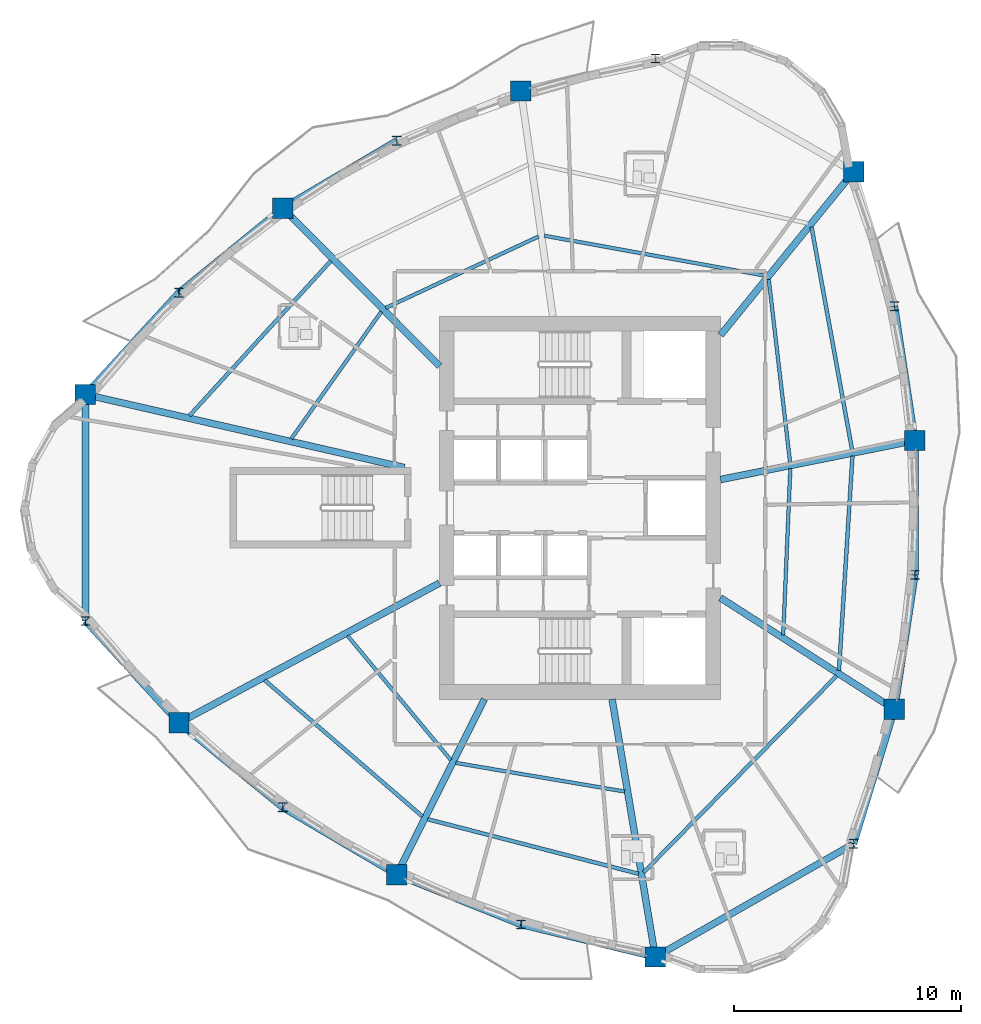
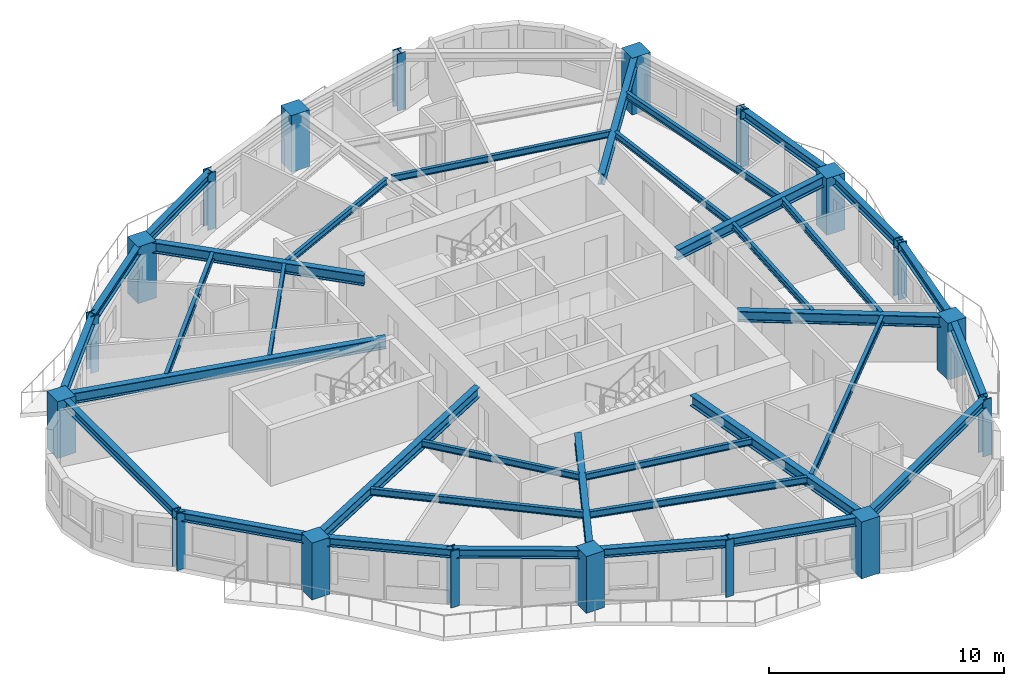
# One storey, part 1 of 12: 35 beams, 18 columns.
"""IFC4 building model written with IfcOpenShell, lengths in metres."""

from ifc_helpers import new_model, si_unit, direction, frame, origin, origin_2d, place, context, subcontext, project, spatial, rectangle, i_section, extrude, source, transform, mapped, material, material_profile, profile_set, type_object, element, save


model = new_model("IFC4")

# Units and contexts
model_context = context("Model", 3, precision=1e-05, world=origin(), true_north=direction((0.0, 1.0)))
body_context = subcontext(model_context, "Body", "Model", "MODEL_VIEW")
ifc_project = project(units=[si_unit("LENGTHUNIT", "METRE"), si_unit("AREAUNIT", "SQUARE_METRE"), si_unit("VOLUMEUNIT", "CUBIC_METRE"), si_unit("PLANEANGLEUNIT", "RADIAN"), si_unit("MASSUNIT", "GRAM", prefix="KILO")], contexts=[model_context])

# Site, building, storey
site_placement = place(None, origin())
site = spatial("IfcSite", under=ifc_project, at=site_placement, CompositionType="ELEMENT")
building_placement = place(site_placement, origin())
building = spatial("IfcBuilding", under=site, at=building_placement, Name="Qafzar Sky-Pleat Residences", CompositionType="ELEMENT")
storey_placement = place(building_placement, frame((0.0, 0.0, 121.60009765625)))
storey = spatial("IfcBuildingStorey", under=building, at=storey_placement, Name="L36", CompositionType="ELEMENT", Elevation=121.60009765625)

# Columns
ifc_material_1 = material(Name="Concrete C60/75", Category="concrete")
ifc_material_profile_1 = material_profile(ifc_material_1, rectangle(XDim=0.89990234375, YDim=0.89990234375, at=origin_2d()), Name="RC 900x900")
ifc_profile_set_1 = profile_set([ifc_material_profile_1], Name="Concrete C60/75")
column_type_1 = type_object("IfcColumnType", Name="COL-RC-900", PredefinedType="COLUMN", material=ifc_profile_set_1)
shared_shape_1 = source(origin(), body_context, "Body", "SweptSolid", [
    extrude(rectangle(XDim=0.89990234375, YDim=0.89990234375, at=origin_2d()), origin(), (0.0, 0.0, 1.0), 2.949951171875),
])
for number, where, z_axis, x_axis, name in (
    (1, (8.52880859375, 30.99609375, 0.0), (0.0, 0.0, 1.0), (1.0, 0.0, 0.0), "L36 Perimeter Mega Column 1"),
    (2, (12.65673828125, 16.50927734375, 0.0), (0.0, 0.0, 1.0), (1.0, 0.0, 0.0), "L36 Perimeter Mega Column 3"),
    (3, (22.26513671875, 9.813720703125, 0.0), (0.0, 0.0, 1.0), (1.0, 0.0, 0.0), "L36 Perimeter Mega Column 5"),
    (4, (33.6767578125, 6.17626953125, 0.0), (0.0, 0.0, 1.0), (1.0, 0.0, 0.0), "L36 Perimeter Mega Column 7"),
    (5, (44.2255859375, 17.103515625, 0.0), (0.0, 0.0, 1.0), (1.0, 0.0, 0.0), "L36 Perimeter Mega Column 9"),
    (6, (45.127197265625, 28.965576171875, 0.0), (0.0, 0.0, 1.0), (1.0, 0.0, 0.0), "L36 Perimeter Mega Column 11"),
    (7, (42.422607421875, 40.82763671875, 0.0), (0.0, 0.0, 1.0), (1.0, 0.0, 0.0), "L36 Perimeter Mega Column 13"),
    (8, (27.74560546875, 44.38720703125, 0.0), (0.0, 0.0, 1.0), (1.0, 0.0, 0.0), "L36 Perimeter Mega Column 15"),
    (9, (17.235595703125, 39.220703125, 0.0), (0.0, 0.0, 1.0), (1.0, 0.0, 0.0), "L36 Perimeter Mega Column 17"),
):
    element("IfcColumn", number, at=place(storey_placement, frame(where, z_axis=z_axis, x_axis=x_axis)), inside=storey, type_object=column_type_1, Name=name, PredefinedType="COLUMN", context=body_context, shape_type="MappedRepresentation", body=[
        mapped(shared_shape_1, transform((0.0, 0.0, 0.0), x_axis=(1.0, 0.0, 0.0), y_axis=(0.0, 1.0, 0.0), z_axis=(0.0, 0.0, 1.0), scale=1.0)),
    ])
ifc_material_2 = material(Name="Steel S460", Category="steel")
ifc_material_profile_2 = material_profile(ifc_material_2, i_section(OverallWidth=0.406005859375, OverallDepth=0.416015625, WebThickness=0.027099609375, FlangeThickness=0.0439453125, FilletRadius=0.014892578125, at=origin_2d()), Name="HD 400x382")
ifc_profile_set_2 = profile_set([ifc_material_profile_2], Name="Steel S460")
column_type_2 = type_object("IfcColumnType", Name="COL-STL-HD382", PredefinedType="PILASTER", material=ifc_profile_set_2)
shared_shape_2 = source(origin(), body_context, "Body", "SweptSolid", [
    extrude(i_section(OverallWidth=0.406005859375, OverallDepth=0.416015625, WebThickness=0.027099609375, FlangeThickness=0.0439453125, FilletRadius=0.014892578125, at=origin_2d()), origin(), (0.0, 0.0, 1.0), 2.949951171875),
])
for number, where, z_axis, x_axis, name in (
    (10, (8.52880859375, 21.00390625, 0.0), (0.0, 0.0, 1.0), (1.0, 0.0, 0.0), "L36 Perimeter Mega Column 2"),
    (11, (17.235595703125, 12.779296875, 0.0), (0.0, 0.0, 1.0), (1.0, 0.0, 0.0), "L36 Perimeter Mega Column 4"),
    (12, (27.74560546875, 7.61279296875, 0.0), (0.0, 0.0, 1.0), (1.0, 0.0, 0.0), "L36 Perimeter Mega Column 6"),
    (13, (42.422607421875, 11.17236328125, 0.0), (0.0, 0.0, 1.0), (1.0, 0.0, 0.0), "L36 Perimeter Mega Column 8"),
    (14, (45.127197265625, 23.034423828125, 0.0), (0.0, 0.0, 1.0), (1.0, 0.0, 0.0), "L36 Perimeter Mega Column 10"),
    (15, (44.2255859375, 34.896484375, 0.0), (0.0, 0.0, 1.0), (1.0, 0.0, 0.0), "L36 Perimeter Mega Column 12"),
    (16, (33.6767578125, 45.82373046875, 0.0), (0.0, 0.0, 1.0), (1.0, 0.0, 0.0), "L36 Perimeter Mega Column 14"),
    (17, (22.26513671875, 42.186279296875, 0.0), (0.0, 0.0, 1.0), (1.0, 0.0, 0.0), "L36 Perimeter Mega Column 16"),
    (18, (12.65673828125, 35.49072265625, 0.0), (0.0, 0.0, 1.0), (1.0, 0.0, 0.0), "L36 Perimeter Mega Column 18"),
):
    element("IfcColumn", number, at=place(storey_placement, frame(where, z_axis=z_axis, x_axis=x_axis)), inside=storey, type_object=column_type_2, Name=name, PredefinedType="PILASTER", context=body_context, shape_type="MappedRepresentation", body=[
        mapped(shared_shape_2, transform((0.0, 0.0, 0.0), x_axis=(1.0, 0.0, 0.0), y_axis=(0.0, 1.0, 0.0), z_axis=(0.0, 0.0, 1.0), scale=1.0)),
    ])

# Beams
ifc_material_3 = material(Name="Steel S355", Category="steel")
ifc_material_profile_3 = material_profile(ifc_material_3, i_section(OverallWidth=0.300048828125, OverallDepth=0.449951171875, WebThickness=0.013916015625, FlangeThickness=0.02587890625, FilletRadius=0.027099609375, at=origin_2d()), Name="HEB 450")
ifc_profile_set_3 = profile_set([ifc_material_profile_3], Name="Steel S355")
beam_type_1 = type_object("IfcBeamType", Name="BM-SPAN-HEB450", PredefinedType="SPANDREL", material=ifc_profile_set_3)
shared_shape_3 = source(origin(), body_context, "Body", "SweptSolid", [
    extrude(i_section(OverallWidth=0.300048828125, OverallDepth=0.449951171875, WebThickness=0.013916015625, FlangeThickness=0.02587890625, FilletRadius=0.027099609375, at=origin_2d()), origin(), (0.0, 0.0, 1.0), 9.9921875),
])
beam_1_placement = place(storey_placement, frame((8.52880859375, 30.99609375, 2.722900390625), z_axis=(0.0, -1.0, 0.0), x_axis=(1.0, 0.0, 0.0)))
element("IfcBeam", 19, at=beam_1_placement, inside=storey, type_object=beam_type_1, Name="L36 Perimeter Spandrel Beam 1", PredefinedType="SPANDREL", context=body_context, shape_type="MappedRepresentation", body=[
    mapped(shared_shape_3, transform((0.0, 0.0, 0.0), x_axis=(1.0, 0.0, 0.0), y_axis=(0.0, 1.0, 0.0), z_axis=(0.0, 0.0, 1.0), scale=1.0)),
])
shared_shape_4 = source(origin(), body_context, "Body", "SweptSolid", [
    extrude(i_section(OverallWidth=0.300048828125, OverallDepth=0.449951171875, WebThickness=0.013916015625, FlangeThickness=0.02587890625, FilletRadius=0.027099609375, at=origin_2d()), origin(), (0.0, 0.0, 1.0), 6.1025390625),
])
for number, where, z_axis, x_axis, name in (
    (20, (8.52880859375, 21.00390625, 2.722900390625), (0.676423601397, -0.736512804691, 0.0), (0.736512804691, 0.676423601397, 0.0), "L36 Perimeter Spandrel Beam 2"),
    (21, (27.74560546875, 7.61279296875, 2.722900390625), (0.971900047669, -0.235393919506, 0.0), (0.235393919506, 0.971900047669, 0.0), "L36 Perimeter Spandrel Beam 6"),
    (22, (12.65673828125, 35.49072265625, 2.722900390625), (-0.676423601397, -0.736512804691, 0.0), (0.736512804691, -0.676423601397, 0.0), "L36 Perimeter Spandrel Beam 18"),
):
    element("IfcBeam", number, at=place(storey_placement, frame(where, z_axis=z_axis, x_axis=x_axis)), inside=storey, type_object=beam_type_1, Name=name, PredefinedType="SPANDREL", context=body_context, shape_type="MappedRepresentation", body=[
        mapped(shared_shape_4, transform((0.0, 0.0, 0.0), x_axis=(1.0, 0.0, 0.0), y_axis=(0.0, 1.0, 0.0), z_axis=(0.0, 0.0, 1.0), scale=1.0)),
    ])
shared_shape_5 = source(origin(), body_context, "Body", "SweptSolid", [
    extrude(i_section(OverallWidth=0.300048828125, OverallDepth=0.449951171875, WebThickness=0.013916015625, FlangeThickness=0.02587890625, FilletRadius=0.027099609375, at=origin_2d()), origin(), (0.0, 0.0, 1.0), 5.90576171875),
])
for number, where, z_axis, x_axis, name in (
    (23, (12.65673828125, 16.50927734375, 2.722900390625), (0.775312954576, -0.631577249801, 0.0), (0.631577249801, 0.775312954576, 0.0), "L36 Perimeter Spandrel Beam 3"),
    (24, (17.235595703125, 39.220703125, 2.722900390625), (-0.775312954576, -0.631577249801, 0.0), (0.631577249801, -0.775312954576, 0.0), "L36 Perimeter Spandrel Beam 17"),
):
    element("IfcBeam", number, at=place(storey_placement, frame(where, z_axis=z_axis, x_axis=x_axis)), inside=storey, type_object=beam_type_1, Name=name, PredefinedType="SPANDREL", context=body_context, shape_type="MappedRepresentation", body=[
        mapped(shared_shape_5, transform((0.0, 0.0, 0.0), x_axis=(1.0, 0.0, 0.0), y_axis=(0.0, 1.0, 0.0), z_axis=(0.0, 0.0, 1.0), scale=1.0)),
    ])
shared_shape_6 = source(origin(), body_context, "Body", "SweptSolid", [
    extrude(i_section(OverallWidth=0.300048828125, OverallDepth=0.449951171875, WebThickness=0.013916015625, FlangeThickness=0.02587890625, FilletRadius=0.027099609375, at=origin_2d()), origin(), (0.0, 0.0, 1.0), 5.838623046875),
])
for number, where, z_axis, x_axis, name in (
    (25, (17.235595703125, 12.779296875, 2.722900390625), (0.861408122247, -0.507913424637, 0.0), (0.507913424637, 0.861408122247, 0.0), "L36 Perimeter Spandrel Beam 4"),
    (26, (22.26513671875, 42.186279296875, 2.722900390625), (-0.861408122247, -0.507913424637, 0.0), (0.507913424637, -0.861408122247, 0.0), "L36 Perimeter Spandrel Beam 16"),
):
    element("IfcBeam", number, at=place(storey_placement, frame(where, z_axis=z_axis, x_axis=x_axis)), inside=storey, type_object=beam_type_1, Name=name, PredefinedType="SPANDREL", context=body_context, shape_type="MappedRepresentation", body=[
        mapped(shared_shape_6, transform((0.0, 0.0, 0.0), x_axis=(1.0, 0.0, 0.0), y_axis=(0.0, 1.0, 0.0), z_axis=(0.0, 0.0, 1.0), scale=1.0)),
    ])
shared_shape_7 = source(origin(), body_context, "Body", "SweptSolid", [
    extrude(i_section(OverallWidth=0.300048828125, OverallDepth=0.449951171875, WebThickness=0.013916015625, FlangeThickness=0.02587890625, FilletRadius=0.027099609375, at=origin_2d()), origin(), (0.0, 0.0, 1.0), 5.906005859375),
])
beam_2_placement = place(storey_placement, frame((22.26513671875, 9.813720703125, 2.722900390625), z_axis=(0.927965498351, -0.372666115807, 0.0), x_axis=(0.372666115807, 0.927965498351, 0.0)))
element("IfcBeam", 27, at=beam_2_placement, inside=storey, type_object=beam_type_1, Name="L36 Perimeter Spandrel Beam 5", PredefinedType="SPANDREL", context=body_context, shape_type="MappedRepresentation", body=[
    mapped(shared_shape_7, transform((0.0, 0.0, 0.0), x_axis=(1.0, 0.0, 0.0), y_axis=(0.0, 1.0, 0.0), z_axis=(0.0, 0.0, 1.0), scale=1.0)),
])
shared_shape_8 = source(origin(), body_context, "Body", "SweptSolid", [
    extrude(i_section(OverallWidth=0.300048828125, OverallDepth=0.449951171875, WebThickness=0.013916015625, FlangeThickness=0.02587890625, FilletRadius=0.027099609375, at=origin_2d()), origin(), (0.0, 0.0, 1.0), 10.072265625),
])
beam_3_placement = place(storey_placement, frame((33.6767578125, 6.17626953125, 2.722900390625), z_axis=(0.868308765909, 0.496024079099, 0.0), x_axis=(-0.496024079099, 0.868308765909, 0.0)))
element("IfcBeam", 28, at=beam_3_placement, inside=storey, type_object=beam_type_1, Name="L36 Perimeter Spandrel Beam 7", PredefinedType="SPANDREL", context=body_context, shape_type="MappedRepresentation", body=[
    mapped(shared_shape_8, transform((0.0, 0.0, 0.0), x_axis=(1.0, 0.0, 0.0), y_axis=(0.0, 1.0, 0.0), z_axis=(0.0, 0.0, 1.0), scale=1.0)),
])
shared_shape_9 = source(origin(), body_context, "Body", "SweptSolid", [
    extrude(i_section(OverallWidth=0.300048828125, OverallDepth=0.449951171875, WebThickness=0.013916015625, FlangeThickness=0.02587890625, FilletRadius=0.027099609375, at=origin_2d()), origin(), (0.0, 0.0, 1.0), 6.19921875),
])
beam_4_placement = place(storey_placement, frame((42.422607421875, 11.17236328125, 2.722900390625), z_axis=(0.290843469518, 0.956770649758, 0.0), x_axis=(-0.956770649758, 0.290843469518, 0.0)))
element("IfcBeam", 29, at=beam_4_placement, inside=storey, type_object=beam_type_1, Name="L36 Perimeter Spandrel Beam 8", PredefinedType="SPANDREL", context=body_context, shape_type="MappedRepresentation", body=[
    mapped(shared_shape_9, transform((0.0, 0.0, 0.0), x_axis=(1.0, 0.0, 0.0), y_axis=(0.0, 1.0, 0.0), z_axis=(0.0, 0.0, 1.0), scale=1.0)),
])
shared_shape_10 = source(origin(), body_context, "Body", "SweptSolid", [
    extrude(i_section(OverallWidth=0.300048828125, OverallDepth=0.449951171875, WebThickness=0.013916015625, FlangeThickness=0.02587890625, FilletRadius=0.027099609375, at=origin_2d()), origin(), (0.0, 0.0, 1.0), 5.9990234375),
])
for number, where, z_axis, x_axis, name in (
    (30, (44.2255859375, 17.103515625, 2.722900390625), (0.150292404852, 0.988641589781, 0.0), (-0.988641589781, 0.150292404852, 0.0), "L36 Perimeter Spandrel Beam 9"),
    (31, (45.127197265625, 28.965576171875, 2.722900390625), (-0.150292404852, 0.988641589781, 0.0), (-0.988641589781, -0.150292404852, 0.0), "L36 Perimeter Spandrel Beam 11"),
):
    element("IfcBeam", number, at=place(storey_placement, frame(where, z_axis=z_axis, x_axis=x_axis)), inside=storey, type_object=beam_type_1, Name=name, PredefinedType="SPANDREL", context=body_context, shape_type="MappedRepresentation", body=[
        mapped(shared_shape_10, transform((0.0, 0.0, 0.0), x_axis=(1.0, 0.0, 0.0), y_axis=(0.0, 1.0, 0.0), z_axis=(0.0, 0.0, 1.0), scale=1.0)),
    ])
shared_shape_11 = source(origin(), body_context, "Body", "SweptSolid", [
    extrude(i_section(OverallWidth=0.300048828125, OverallDepth=0.449951171875, WebThickness=0.013916015625, FlangeThickness=0.02587890625, FilletRadius=0.027099609375, at=origin_2d()), origin(), (0.0, 0.0, 1.0), 5.93115234375),
])
beam_5_placement = place(storey_placement, frame((45.127197265625, 23.034423828125, 2.722900390625), z_axis=(0.0, 1.0, 0.0), x_axis=(-1.0, 0.0, 0.0)))
element("IfcBeam", 32, at=beam_5_placement, inside=storey, type_object=beam_type_1, Name="L36 Perimeter Spandrel Beam 10", PredefinedType="SPANDREL", context=body_context, shape_type="MappedRepresentation", body=[
    mapped(shared_shape_11, transform((0.0, 0.0, 0.0), x_axis=(1.0, 0.0, 0.0), y_axis=(0.0, 1.0, 0.0), z_axis=(0.0, 0.0, 1.0), scale=1.0)),
])
ifc_material_profile_4 = material_profile(ifc_material_3, i_section(OverallWidth=0.300048828125, OverallDepth=0.550048828125, WebThickness=0.014892578125, FlangeThickness=0.029052734375, FilletRadius=0.027099609375, at=origin_2d()), Name="HEB 550")
ifc_profile_set_4 = profile_set([ifc_material_profile_4], Name="Steel S355")
beam_type_2 = type_object("IfcBeamType", Name="BM-GIRD-HEB550", PredefinedType="BEAM", material=ifc_profile_set_4)
shared_shape_12 = source(origin(), body_context, "Body", "SweptSolid", [
    extrude(i_section(OverallWidth=0.300048828125, OverallDepth=0.550048828125, WebThickness=0.014892578125, FlangeThickness=0.029052734375, FilletRadius=0.027099609375, at=origin_2d()), origin(), (0.0, 0.0, 1.0), 14.4326171875),
])
beam_6_placement = place(storey_placement, frame((8.52880859375, 30.99609375, 2.6728515625), z_axis=(0.974775500226, -0.223187643384, 0.0), x_axis=(0.223187643384, 0.974775500226, 0.0)))
element("IfcBeam", 33, at=beam_6_placement, inside=storey, type_object=beam_type_2, Name="L36 Radial Floor Girder 1", PredefinedType="BEAM", context=body_context, shape_type="MappedRepresentation", body=[
    mapped(shared_shape_12, transform((0.0, 0.0, 0.0), x_axis=(1.0, 0.0, 0.0), y_axis=(0.0, 1.0, 0.0), z_axis=(0.0, 0.0, 1.0), scale=1.0)),
])
shared_shape_13 = source(origin(), body_context, "Body", "SweptSolid", [
    extrude(i_section(OverallWidth=0.300048828125, OverallDepth=0.550048828125, WebThickness=0.014892578125, FlangeThickness=0.029052734375, FilletRadius=0.027099609375, at=origin_2d()), origin(), (0.0, 0.0, 1.0), 13.042236328125),
])
beam_7_placement = place(storey_placement, frame((12.65673828125, 16.50927734375, 2.6728515625), z_axis=(0.881224933999, 0.472697171241, 0.0), x_axis=(-0.472697171241, 0.881224933999, 0.0)))
element("IfcBeam", 34, at=beam_7_placement, inside=storey, type_object=beam_type_2, Name="L36 Radial Floor Girder 3", PredefinedType="BEAM", context=body_context, shape_type="MappedRepresentation", body=[
    mapped(shared_shape_13, transform((0.0, 0.0, 0.0), x_axis=(1.0, 0.0, 0.0), y_axis=(0.0, 1.0, 0.0), z_axis=(0.0, 0.0, 1.0), scale=1.0)),
])
shared_shape_14 = source(origin(), body_context, "Body", "SweptSolid", [
    extrude(i_section(OverallWidth=0.300048828125, OverallDepth=0.550048828125, WebThickness=0.014892578125, FlangeThickness=0.029052734375, FilletRadius=0.027099609375, at=origin_2d()), origin(), (0.0, 0.0, 1.0), 8.647705078125),
])
beam_8_placement = place(storey_placement, frame((22.26513671875, 9.813720703125, 2.6728515625), z_axis=(0.446852192557, 0.894607801222, 0.0), x_axis=(-0.894607801222, 0.446852192557, 0.0)))
element("IfcBeam", 35, at=beam_8_placement, inside=storey, type_object=beam_type_2, Name="L36 Radial Floor Girder 5", PredefinedType="BEAM", context=body_context, shape_type="MappedRepresentation", body=[
    mapped(shared_shape_14, transform((0.0, 0.0, 0.0), x_axis=(1.0, 0.0, 0.0), y_axis=(0.0, 1.0, 0.0), z_axis=(0.0, 0.0, 1.0), scale=1.0)),
])
shared_shape_15 = source(origin(), body_context, "Body", "SweptSolid", [
    extrude(i_section(OverallWidth=0.300048828125, OverallDepth=0.550048828125, WebThickness=0.014892578125, FlangeThickness=0.029052734375, FilletRadius=0.027099609375, at=origin_2d()), origin(), (0.0, 0.0, 1.0), 11.53271484375),
])
beam_9_placement = place(storey_placement, frame((33.6767578125, 6.17626953125, 2.6728515625), z_axis=(-0.165500827547, 0.98620965118, 0.0), x_axis=(-0.98620965118, -0.165500827547, 0.0)))
element("IfcBeam", 36, at=beam_9_placement, inside=storey, type_object=beam_type_2, Name="L36 Radial Floor Girder 7", PredefinedType="BEAM", context=body_context, shape_type="MappedRepresentation", body=[
    mapped(shared_shape_15, transform((0.0, 0.0, 0.0), x_axis=(1.0, 0.0, 0.0), y_axis=(0.0, 1.0, 0.0), z_axis=(0.0, 0.0, 1.0), scale=1.0)),
])
shared_shape_16 = source(origin(), body_context, "Body", "SweptSolid", [
    extrude(i_section(OverallWidth=0.300048828125, OverallDepth=0.550048828125, WebThickness=0.014892578125, FlangeThickness=0.029052734375, FilletRadius=0.027099609375, at=origin_2d()), origin(), (0.0, 0.0, 1.0), 9.11767578125),
])
beam_10_placement = place(storey_placement, frame((44.2255859375, 17.103515625, 2.6728515625), z_axis=(-0.841832969143, 0.539738132861, 0.0), x_axis=(-0.539738132861, -0.841832969143, 0.0)))
element("IfcBeam", 37, at=beam_10_placement, inside=storey, type_object=beam_type_2, Name="L36 Radial Floor Girder 9", PredefinedType="BEAM", context=body_context, shape_type="MappedRepresentation", body=[
    mapped(shared_shape_16, transform((0.0, 0.0, 0.0), x_axis=(1.0, 0.0, 0.0), y_axis=(0.0, 1.0, 0.0), z_axis=(0.0, 0.0, 1.0), scale=1.0)),
])
shared_shape_17 = source(origin(), body_context, "Body", "SweptSolid", [
    extrude(i_section(OverallWidth=0.300048828125, OverallDepth=0.550048828125, WebThickness=0.014892578125, FlangeThickness=0.029052734375, FilletRadius=0.027099609375, at=origin_2d()), origin(), (0.0, 0.0, 1.0), 8.748291015625),
])
beam_11_placement = place(storey_placement, frame((45.127197265625, 28.965576171875, 2.6728515625), z_axis=(-0.980448429266, -0.196776211851, 0.0), x_axis=(0.196776211851, -0.980448429266, 0.0)))
element("IfcBeam", 38, at=beam_11_placement, inside=storey, type_object=beam_type_2, Name="L36 Radial Floor Girder 11", PredefinedType="BEAM", context=body_context, shape_type="MappedRepresentation", body=[
    mapped(shared_shape_17, transform((0.0, 0.0, 0.0), x_axis=(1.0, 0.0, 0.0), y_axis=(0.0, 1.0, 0.0), z_axis=(0.0, 0.0, 1.0), scale=1.0)),
])
shared_shape_18 = source(origin(), body_context, "Body", "SweptSolid", [
    extrude(i_section(OverallWidth=0.300048828125, OverallDepth=0.550048828125, WebThickness=0.014892578125, FlangeThickness=0.029052734375, FilletRadius=0.027099609375, at=origin_2d()), origin(), (0.0, 0.0, 1.0), 9.301025390625),
])
beam_12_placement = place(storey_placement, frame((42.422607421875, 40.82763671875, 2.6728515625), z_axis=(-0.631387785831, -0.77546725521, 0.0), x_axis=(0.77546725521, -0.631387785831, 0.0)))
element("IfcBeam", 39, at=beam_12_placement, inside=storey, type_object=beam_type_2, Name="L36 Radial Floor Girder 13", PredefinedType="BEAM", context=body_context, shape_type="MappedRepresentation", body=[
    mapped(shared_shape_18, transform((0.0, 0.0, 0.0), x_axis=(1.0, 0.0, 0.0), y_axis=(0.0, 1.0, 0.0), z_axis=(0.0, 0.0, 1.0), scale=1.0)),
])
shared_shape_19 = source(origin(), body_context, "Body", "SweptSolid", [
    extrude(i_section(OverallWidth=0.300048828125, OverallDepth=0.550048828125, WebThickness=0.014892578125, FlangeThickness=0.029052734375, FilletRadius=0.027099609375, at=origin_2d()), origin(), (0.0, 0.0, 1.0), 9.818115234375),
])
beam_13_placement = place(storey_placement, frame((17.235595703125, 39.220703125, 2.6728515625), z_axis=(0.704241362588, -0.709960634979, 0.0), x_axis=(0.709960634979, 0.704241362588, 0.0)))
element("IfcBeam", 40, at=beam_13_placement, inside=storey, type_object=beam_type_2, Name="L36 Radial Floor Girder 17", PredefinedType="BEAM", context=body_context, shape_type="MappedRepresentation", body=[
    mapped(shared_shape_19, transform((0.0, 0.0, 0.0), x_axis=(1.0, 0.0, 0.0), y_axis=(0.0, 1.0, 0.0), z_axis=(0.0, 0.0, 1.0), scale=1.0)),
])
ifc_material_profile_5 = material_profile(ifc_material_3, i_section(OverallWidth=0.169921875, OverallDepth=0.360107421875, WebThickness=0.008056640625, FlangeThickness=0.0126953125, FilletRadius=0.01806640625, at=origin_2d()), Name="IPE 360")
ifc_profile_set_5 = profile_set([ifc_material_profile_5], Name="Steel S355")
beam_type_3 = type_object("IfcBeamType", Name="BM-JST-IPE360", PredefinedType="JOIST", material=ifc_profile_set_5)
shared_shape_20 = source(origin(), body_context, "Body", "SweptSolid", [
    extrude(i_section(OverallWidth=0.169921875, OverallDepth=0.360107421875, WebThickness=0.008056640625, FlangeThickness=0.0126953125, FilletRadius=0.01806640625, at=origin_2d()), origin(), (0.0, 0.0, 1.0), 9.201904296875),
])
beam_14_placement = place(storey_placement, frame((16.436767578125, 18.393798828125, 2.767822265625), z_axis=(0.756677427014, -0.653788399596, 0.0), x_axis=(0.653788399596, 0.756677427014, 0.0)))
element("IfcBeam", 41, at=beam_14_placement, inside=storey, type_object=beam_type_3, Name="L36 Outer Secondary Floor Joist 2", PredefinedType="JOIST", context=body_context, shape_type="MappedRepresentation", body=[
    mapped(shared_shape_20, transform((0.0, 0.0, 0.0), x_axis=(1.0, 0.0, 0.0), y_axis=(0.0, 1.0, 0.0), z_axis=(0.0, 0.0, 1.0), scale=1.0)),
])
shared_shape_21 = source(origin(), body_context, "Body", "SweptSolid", [
    extrude(i_section(OverallWidth=0.169921875, OverallDepth=0.360107421875, WebThickness=0.008056640625, FlangeThickness=0.0126953125, FilletRadius=0.01806640625, at=origin_2d()), origin(), (0.0, 0.0, 1.0), 9.609130859375),
])
beam_15_placement = place(storey_placement, frame((23.63232421875, 12.255615234375, 2.767822265625), z_axis=(0.968145318769, -0.250388980881, 0.0), x_axis=(0.250388980881, 0.968145318769, 0.0)))
element("IfcBeam", 42, at=beam_15_placement, inside=storey, type_object=beam_type_3, Name="L36 Outer Secondary Floor Joist 3", PredefinedType="JOIST", context=body_context, shape_type="MappedRepresentation", body=[
    mapped(shared_shape_21, transform((0.0, 0.0, 0.0), x_axis=(1.0, 0.0, 0.0), y_axis=(0.0, 1.0, 0.0), z_axis=(0.0, 0.0, 1.0), scale=1.0)),
])
shared_shape_22 = source(origin(), body_context, "Body", "SweptSolid", [
    extrude(i_section(OverallWidth=0.169921875, OverallDepth=0.360107421875, WebThickness=0.008056640625, FlangeThickness=0.0126953125, FilletRadius=0.01806640625, at=origin_2d()), origin(), (0.0, 0.0, 1.0), 12.1513671875),
])
beam_16_placement = place(storey_placement, frame((33.160400390625, 9.912109375, 2.767822265625), z_axis=(0.700688839555, 0.713466993016, 0.0), x_axis=(-0.713466993016, 0.700688839555, 0.0)))
element("IfcBeam", 43, at=beam_16_placement, inside=storey, type_object=beam_type_3, Name="L36 Outer Secondary Floor Joist 4", PredefinedType="JOIST", context=body_context, shape_type="MappedRepresentation", body=[
    mapped(shared_shape_22, transform((0.0, 0.0, 0.0), x_axis=(1.0, 0.0, 0.0), y_axis=(0.0, 1.0, 0.0), z_axis=(0.0, 0.0, 1.0), scale=1.0)),
])
shared_shape_23 = source(origin(), body_context, "Body", "SweptSolid", [
    extrude(i_section(OverallWidth=0.169921875, OverallDepth=0.360107421875, WebThickness=0.008056640625, FlangeThickness=0.0126953125, FilletRadius=0.01806640625, at=origin_2d()), origin(), (0.0, 0.0, 1.0), 9.48583984375),
])
beam_17_placement = place(storey_placement, frame((41.77783203125, 18.81298828125, 2.767822265625), z_axis=(0.062825331931, 0.998024537608, 0.0), x_axis=(-0.998024537608, 0.062825331931, 0.0)))
element("IfcBeam", 44, at=beam_17_placement, inside=storey, type_object=beam_type_3, Name="L36 Outer Secondary Floor Joist 5", PredefinedType="JOIST", context=body_context, shape_type="MappedRepresentation", body=[
    mapped(shared_shape_23, transform((0.0, 0.0, 0.0), x_axis=(1.0, 0.0, 0.0), y_axis=(0.0, 1.0, 0.0), z_axis=(0.0, 0.0, 1.0), scale=1.0)),
])
shared_shape_24 = source(origin(), body_context, "Body", "SweptSolid", [
    extrude(i_section(OverallWidth=0.169921875, OverallDepth=0.360107421875, WebThickness=0.008056640625, FlangeThickness=0.0126953125, FilletRadius=0.01806640625, at=origin_2d()), origin(), (0.0, 0.0, 1.0), 10.000732421875),
])
beam_18_placement = place(storey_placement, frame((42.3583984375, 28.547607421875, 2.767822265625), z_axis=(-0.179087371555, 0.983833173536, 0.0), x_axis=(-0.983833173536, -0.179087371555, 0.0)))
element("IfcBeam", 45, at=beam_18_placement, inside=storey, type_object=beam_type_3, Name="L36 Outer Secondary Floor Joist 6", PredefinedType="JOIST", context=body_context, shape_type="MappedRepresentation", body=[
    mapped(shared_shape_24, transform((0.0, 0.0, 0.0), x_axis=(1.0, 0.0, 0.0), y_axis=(0.0, 1.0, 0.0), z_axis=(0.0, 0.0, 1.0), scale=1.0)),
])
shared_shape_25 = source(origin(), body_context, "Body", "SweptSolid", [
    extrude(i_section(OverallWidth=0.169921875, OverallDepth=0.360107421875, WebThickness=0.008056640625, FlangeThickness=0.0126953125, FilletRadius=0.01806640625, at=origin_2d()), origin(), (0.0, 0.0, 1.0), 9.244873046875),
])
beam_19_placement = place(storey_placement, frame((19.357177734375, 36.890625, 2.767822265625), z_axis=(-0.674471594724, -0.738300797717, 0.0), x_axis=(0.738300797717, -0.674471594724, 0.0)))
element("IfcBeam", 46, at=beam_19_placement, inside=storey, type_object=beam_type_3, Name="L36 Outer Secondary Floor Joist 9", PredefinedType="JOIST", context=body_context, shape_type="MappedRepresentation", body=[
    mapped(shared_shape_25, transform((0.0, 0.0, 0.0), x_axis=(1.0, 0.0, 0.0), y_axis=(0.0, 1.0, 0.0), z_axis=(0.0, 0.0, 1.0), scale=1.0)),
])
ifc_material_profile_6 = material_profile(ifc_material_3, i_section(OverallWidth=0.159912109375, OverallDepth=0.330078125, WebThickness=0.007568359375, FlangeThickness=0.011474609375, FilletRadius=0.01806640625, at=origin_2d()), Name="IPE 330")
ifc_profile_set_6 = profile_set([ifc_material_profile_6], Name="Steel S355")
beam_type_4 = type_object("IfcBeamType", Name="BM-JST-IPE330", PredefinedType="JOIST", material=ifc_profile_set_6)
shared_shape_26 = source(origin(), body_context, "Body", "SweptSolid", [
    extrude(i_section(OverallWidth=0.159912109375, OverallDepth=0.330078125, WebThickness=0.007568359375, FlangeThickness=0.011474609375, FilletRadius=0.01806640625, at=origin_2d()), origin(), (0.0, 0.0, 1.0), 7.126708984375),
])
beam_20_placement = place(storey_placement, frame((20.0986328125, 20.35107421875, 2.782958984375), z_axis=(0.638940175477, -0.769256428092, 0.0), x_axis=(0.769256428092, 0.638940175477, 0.0)))
element("IfcBeam", 47, at=beam_20_placement, inside=storey, type_object=beam_type_4, Name="L36 Inner Secondary Floor Joist 2", PredefinedType="JOIST", context=body_context, shape_type="MappedRepresentation", body=[
    mapped(shared_shape_26, transform((0.0, 0.0, 0.0), x_axis=(1.0, 0.0, 0.0), y_axis=(0.0, 1.0, 0.0), z_axis=(0.0, 0.0, 1.0), scale=1.0)),
])
shared_shape_27 = source(origin(), body_context, "Body", "SweptSolid", [
    extrude(i_section(OverallWidth=0.159912109375, OverallDepth=0.330078125, WebThickness=0.007568359375, FlangeThickness=0.011474609375, FilletRadius=0.01806640625, at=origin_2d()), origin(), (0.0, 0.0, 1.0), 7.55712890625),
])
beam_21_placement = place(storey_placement, frame((24.871337890625, 14.7421875, 2.782958984375), z_axis=(0.985909493648, -0.167279617213, 0.0), x_axis=(0.167279617213, 0.985909493648, 0.0)))
element("IfcBeam", 48, at=beam_21_placement, inside=storey, type_object=beam_type_4, Name="L36 Inner Secondary Floor Joist 3", PredefinedType="JOIST", context=body_context, shape_type="MappedRepresentation", body=[
    mapped(shared_shape_27, transform((0.0, 0.0, 0.0), x_axis=(1.0, 0.0, 0.0), y_axis=(0.0, 1.0, 0.0), z_axis=(0.0, 0.0, 1.0), scale=1.0)),
])
shared_shape_28 = source(origin(), body_context, "Body", "SweptSolid", [
    extrude(i_section(OverallWidth=0.159912109375, OverallDepth=0.330078125, WebThickness=0.007568359375, FlangeThickness=0.011474609375, FilletRadius=0.01806640625, at=origin_2d()), origin(), (0.0, 0.0, 1.0), 7.34765625),
])
beam_22_placement = place(storey_placement, frame((39.31884765625, 20.387939453125, 2.782958984375), z_axis=(0.042629740771, 0.999090939405, 0.0), x_axis=(-0.999090939405, 0.042629740771, 0.0)))
element("IfcBeam", 49, at=beam_22_placement, inside=storey, type_object=beam_type_4, Name="L36 Inner Secondary Floor Joist 5", PredefinedType="JOIST", context=body_context, shape_type="MappedRepresentation", body=[
    mapped(shared_shape_28, transform((0.0, 0.0, 0.0), x_axis=(1.0, 0.0, 0.0), y_axis=(0.0, 1.0, 0.0), z_axis=(0.0, 0.0, 1.0), scale=1.0)),
])
shared_shape_29 = source(origin(), body_context, "Body", "SweptSolid", [
    extrude(i_section(OverallWidth=0.159912109375, OverallDepth=0.330078125, WebThickness=0.007568359375, FlangeThickness=0.011474609375, FilletRadius=0.01806640625, at=origin_2d()), origin(), (0.0, 0.0, 1.0), 8.134033203125),
])
beam_23_placement = place(storey_placement, frame((39.6220703125, 27.998046875, 2.782958984375), z_axis=(-0.115855529882, 0.993266075226, 0.0), x_axis=(-0.993266075226, -0.115855529882, 0.0)))
element("IfcBeam", 50, at=beam_23_placement, inside=storey, type_object=beam_type_4, Name="L36 Inner Secondary Floor Joist 6", PredefinedType="JOIST", context=body_context, shape_type="MappedRepresentation", body=[
    mapped(shared_shape_29, transform((0.0, 0.0, 0.0), x_axis=(1.0, 0.0, 0.0), y_axis=(0.0, 1.0, 0.0), z_axis=(0.0, 0.0, 1.0), scale=1.0)),
])
shared_shape_30 = source(origin(), body_context, "Body", "SweptSolid", [
    extrude(i_section(OverallWidth=0.159912109375, OverallDepth=0.330078125, WebThickness=0.007568359375, FlangeThickness=0.011474609375, FilletRadius=0.01806640625, at=origin_2d()), origin(), (0.0, 0.0, 1.0), 9.910888671875),
])
beam_24_placement = place(storey_placement, frame((38.53125, 36.235595703125, 2.782958984375), z_axis=(-0.983963186448, 0.178371656145, 0.0), x_axis=(-0.178371656145, -0.983963186448, 0.0)))
element("IfcBeam", 51, at=beam_24_placement, inside=storey, type_object=beam_type_4, Name="L36 Inner Secondary Floor Joist 7", PredefinedType="JOIST", context=body_context, shape_type="MappedRepresentation", body=[
    mapped(shared_shape_30, transform((0.0, 0.0, 0.0), x_axis=(1.0, 0.0, 0.0), y_axis=(0.0, 1.0, 0.0), z_axis=(0.0, 0.0, 1.0), scale=1.0)),
])
shared_shape_31 = source(origin(), body_context, "Body", "SweptSolid", [
    extrude(i_section(OverallWidth=0.159912109375, OverallDepth=0.330078125, WebThickness=0.007568359375, FlangeThickness=0.011474609375, FilletRadius=0.01806640625, at=origin_2d()), origin(), (0.0, 0.0, 1.0), 7.442138671875),
])
beam_25_placement = place(storey_placement, frame((28.524169921875, 37.97021484375, 2.782958984375), z_axis=(-0.905794718836, -0.423716800858, 0.0), x_axis=(0.423716800858, -0.905794718836, 0.0)))
element("IfcBeam", 52, at=beam_25_placement, inside=storey, type_object=beam_type_4, Name="L36 Inner Secondary Floor Joist 8", PredefinedType="JOIST", context=body_context, shape_type="MappedRepresentation", body=[
    mapped(shared_shape_31, transform((0.0, 0.0, 0.0), x_axis=(1.0, 0.0, 0.0), y_axis=(0.0, 1.0, 0.0), z_axis=(0.0, 0.0, 1.0), scale=1.0)),
])
shared_shape_32 = source(origin(), body_context, "Body", "SweptSolid", [
    extrude(i_section(OverallWidth=0.159912109375, OverallDepth=0.330078125, WebThickness=0.007568359375, FlangeThickness=0.011474609375, FilletRadius=0.01806640625, at=origin_2d()), origin(), (0.0, 0.0, 1.0), 6.869140625),
])
beam_26_placement = place(storey_placement, frame((21.582763671875, 34.6494140625, 2.782958984375), z_axis=(-0.578218490068, -0.81588196312, 0.0), x_axis=(0.81588196312, -0.578218490068, 0.0)))
element("IfcBeam", 53, at=beam_26_placement, inside=storey, type_object=beam_type_4, Name="L36 Inner Secondary Floor Joist 9", PredefinedType="JOIST", context=body_context, shape_type="MappedRepresentation", body=[
    mapped(shared_shape_32, transform((0.0, 0.0, 0.0), x_axis=(1.0, 0.0, 0.0), y_axis=(0.0, 1.0, 0.0), z_axis=(0.0, 0.0, 1.0), scale=1.0)),
])

save(model, "model.ifc")
